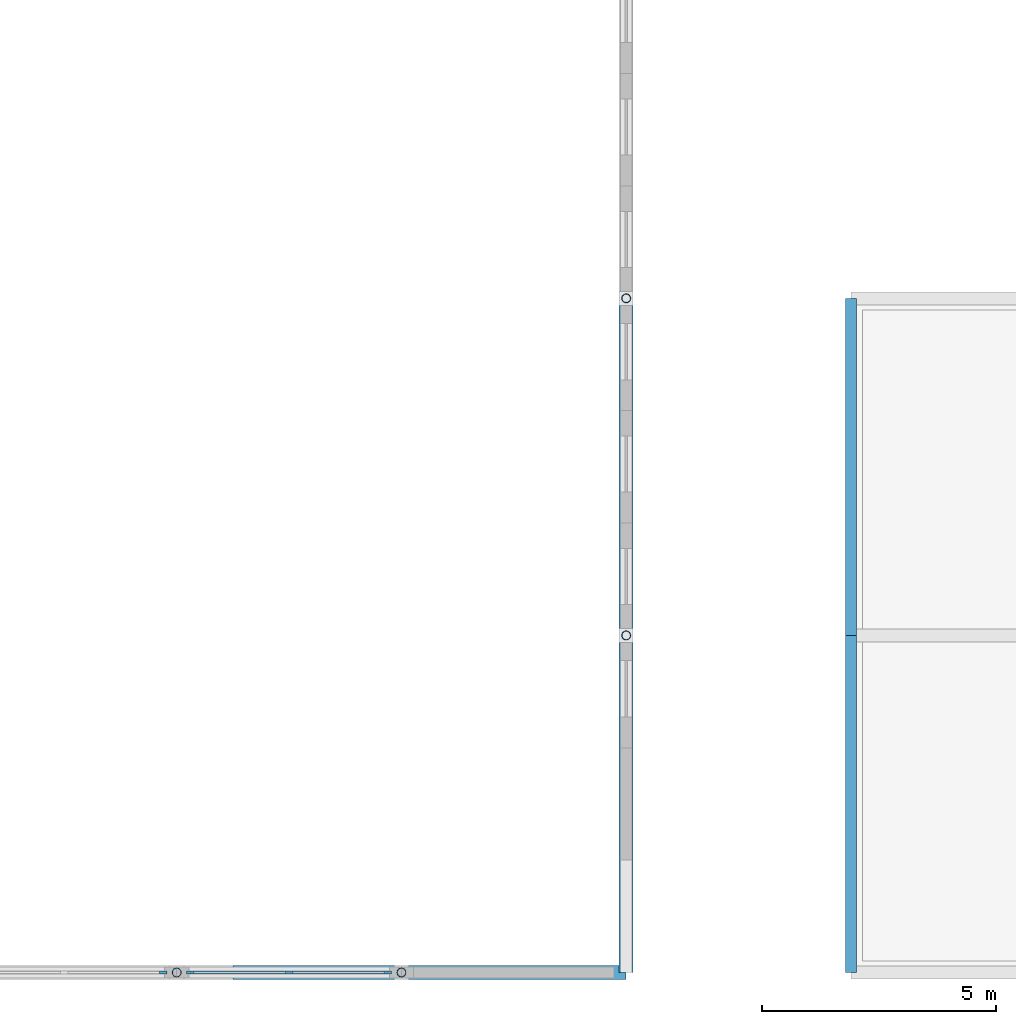
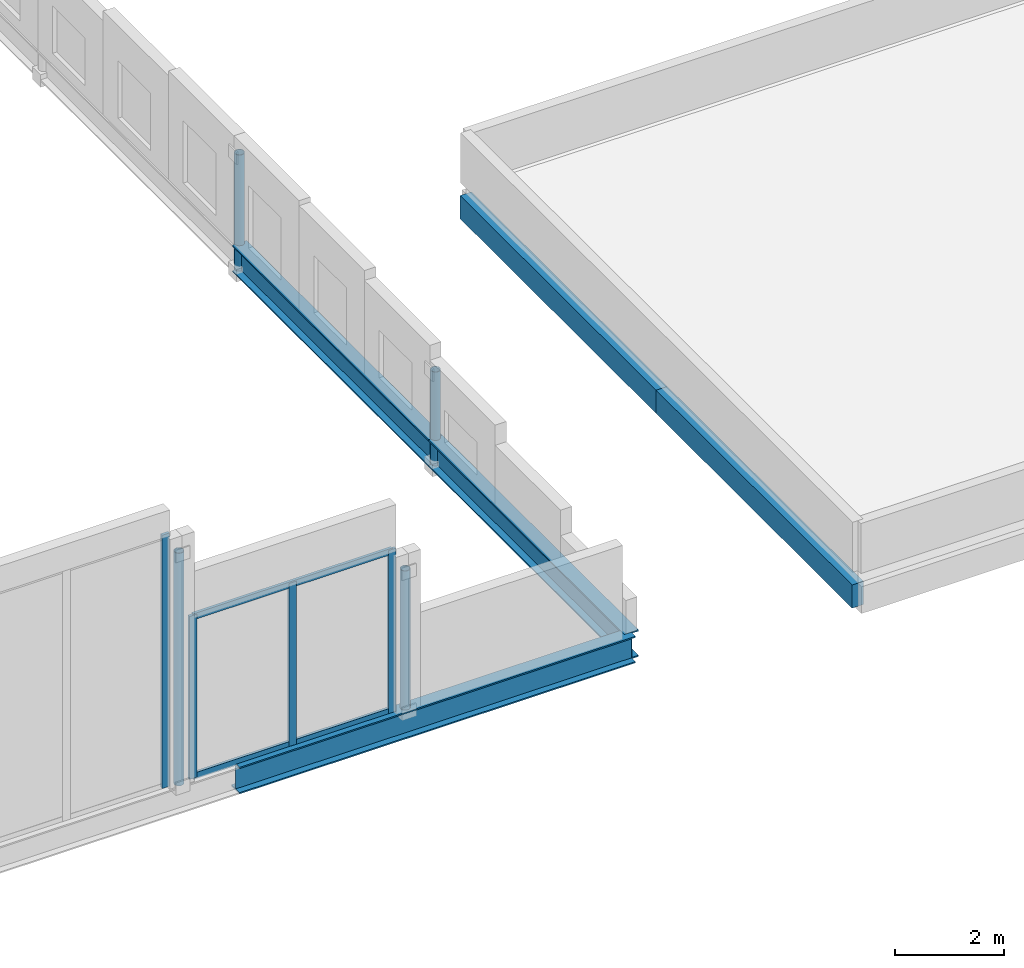
# One storey, part 6 of 34: 10 members, 5 beams, 2 elements without a shape of their own.
"""IFC4 building model written with IfcOpenShell, lengths in metres."""

from ifc_helpers import new_model, si_unit, direction, frame, origin, origin_2d, place, context, subcontext, project, spatial, rectangle, hollow_circle, i_section, extrude, material, material_profile, profile_set, type_object, element, aggregate, save


model = new_model("IFC4")

# Units and contexts
model_context = context("Model", 3, precision=1e-05, world=origin(), true_north=direction((0.0, 1.0)))
body_context = subcontext(model_context, "Body", "Model", "MODEL_VIEW")
ifc_project = project(units=[si_unit("LENGTHUNIT", "METRE"), si_unit("AREAUNIT", "SQUARE_METRE"), si_unit("VOLUMEUNIT", "CUBIC_METRE"), si_unit("PLANEANGLEUNIT", "RADIAN"), si_unit("MASSUNIT", "GRAM", prefix="KILO")], contexts=[model_context])

# Site, building, storey
site_placement = place(None, origin())
site = spatial("IfcSite", under=ifc_project, at=site_placement, CompositionType="ELEMENT")
building_placement = place(site_placement, origin())
building = spatial("IfcBuilding", under=site, at=building_placement, Name="Kahlenmark Community Centre", CompositionType="ELEMENT")
storey_placement = place(building_placement, frame((0.0, 0.0, 17.699951171875)))
storey = spatial("IfcBuildingStorey", under=building, at=storey_placement, Name="L04", CompositionType="ELEMENT", Elevation=17.699951171875)

# Beams
ifc_material_1 = material(Name="Glulam GL32h", Category="wood")
ifc_material_profile_1 = material_profile(ifc_material_1, rectangle(XDim=0.239990234375, YDim=0.52001953125, at=origin_2d()), Name="GL32h 240x520")
ifc_profile_set_1 = profile_set([ifc_material_profile_1], Name="Glulam GL32h")
beam_type_1 = type_object("IfcBeamType", Name="BT-BEAM-GL32h240x520", PredefinedType="BEAM", material=ifc_profile_set_1)
for number, where, z_axis, x_axis, name in (
    (1, (50.800048828125, 8.800048828125, -0.5400390625), (0.0, 1.0, 0.0), (-1.0, 0.0, 0.0), "L04 beam BG-RF520"),
    (2, (50.800048828125, 16.0, -0.5400390625), (0.0, 1.0, 0.0), (-1.0, 0.0, 0.0), "L04 beam BG-RF520"),
):
    element("IfcBeam", number, at=place(storey_placement, frame(where, z_axis=z_axis, x_axis=x_axis)), inside=storey, type_object=beam_type_1, Name=name, PredefinedType="BEAM", context=body_context, shape_type="SweptSolid", body=[
        extrude(rectangle(XDim=0.239990234375, YDim=0.52001953125, at=origin_2d()), origin(), (0.0, 0.0, 1.0), 7.199951171875),
    ])
ifc_material_2 = material(Name="Steel S355", Category="steel")
ifc_material_profile_2 = material_profile(ifc_material_2, i_section(OverallWidth=0.300048828125, OverallDepth=0.60009765625, WebThickness=0.015380859375, FlangeThickness=0.030029296875, at=origin_2d()), Name="HEB 600")
ifc_profile_set_2 = profile_set([ifc_material_profile_2], Name="Steel S355")
beam_type_2 = type_object("IfcBeamType", Name="BT-SPANDREL-HEB600", PredefinedType="SPANDREL", material=ifc_profile_set_2)
beam_placement = place(storey_placement, frame((37.60009765625, 8.800048828125, 0.0), z_axis=(1.0, 0.0, 0.0), x_axis=(0.0, 1.0, 0.0)))
element("IfcBeam", 3, at=beam_placement, inside=storey, type_object=beam_type_2, Name="L04 spandrel RB-1", PredefinedType="SPANDREL", context=body_context, shape_type="SweptSolid", body=[
    extrude(i_section(OverallWidth=0.300048828125, OverallDepth=0.60009765625, WebThickness=0.015380859375, FlangeThickness=0.030029296875, at=origin_2d()), origin(), (0.0, 0.0, 1.0), 8.39990234375),
])
for number, where, z_axis, x_axis, name in (
    (4, (46.0, 8.800048828125, 0.0), (0.0, 1.0, 0.0), (-1.0, 0.0, 0.0), "L04 spandrel RB-1"),
    (5, (46.0, 16.0, 0.0), (0.0, 1.0, 0.0), (-1.0, 0.0, 0.0), "L04 spandrel RB-1"),
):
    element("IfcBeam", number, at=place(storey_placement, frame(where, z_axis=z_axis, x_axis=x_axis)), inside=storey, type_object=beam_type_2, Name=name, PredefinedType="SPANDREL", context=body_context, shape_type="SweptSolid", body=[
        extrude(i_section(OverallWidth=0.300048828125, OverallDepth=0.60009765625, WebThickness=0.015380859375, FlangeThickness=0.030029296875, at=origin_2d()), origin(), (0.0, 0.0, 1.0), 7.199951171875),
    ])

# Curtain wall, member
ifc_material_3 = material(Name="Anodised aluminium unitised curtain wall", Category="aluminium")
curtain_wall_type_1 = type_object("IfcCurtainWallType", Name="CWT-UNIT-428X568", PredefinedType="USERDEFINED", material=ifc_material_3)
curtain_wall_1_placement = place(storey_placement, origin())
curtain_wall_1 = element("IfcCurtainWall", 6, at=curtain_wall_1_placement, inside=storey, type_object=curtain_wall_type_1, Name="Unitised curtain wall CW-194", ObjectType="UNITISED CURTAIN WALL", PredefinedType="USERDEFINED")
ifc_material_4 = material(Name="Anodised aluminium 6063-T6", Category="aluminium")
ifc_material_profile_3 = material_profile(ifc_material_4, rectangle(XDim=0.06005859375, YDim=0.159912109375, at=origin_2d()), Name="ALU MULLION 60x160")
ifc_profile_set_3 = profile_set([ifc_material_profile_3], Name="Anodised aluminium 6063-T6")
member_type_1 = type_object("IfcMemberType", Name="MT-MUL-160", PredefinedType="MULLION", material=ifc_profile_set_3)
member_1_placement = place(storey_placement, frame((36.110107421875, 8.800048828125, 0.300048828125), z_axis=(0.0, 0.0, 1.0), x_axis=(0.0, 1.0, 0.0)))
member_1 = element("IfcMember", 7, at=member_1_placement, type_object=member_type_1, Name="CW-194 mullion 3", PredefinedType="MULLION", context=body_context, shape_type="SweptSolid", body=[
    extrude(rectangle(XDim=0.06005859375, YDim=0.159912109375, at=origin_2d()), origin(), (0.0, 0.0, 1.0), 5.6796875),
])
aggregate(curtain_wall_1, [member_1])

# Curtain wall, members
curtain_wall_type_2 = type_object("IfcCurtainWallType", Name="CWT-UNIT-428X366", PredefinedType="USERDEFINED", material=ifc_material_3)
curtain_wall_2_placement = place(storey_placement, origin())
curtain_wall_2 = element("IfcCurtainWall", 8, at=curtain_wall_2_placement, inside=storey, type_object=curtain_wall_type_2, Name="Unitised curtain wall CW-195", ObjectType="UNITISED CURTAIN WALL", PredefinedType="USERDEFINED")
member_2_placement = place(storey_placement, frame((36.68994140625, 8.800048828125, 0.300048828125), z_axis=(0.0, 0.0, 1.0), x_axis=(0.0, 1.0, 0.0)))
member_2 = element("IfcMember", 9, at=member_2_placement, type_object=member_type_1, Name="CW-195 mullion 1", PredefinedType="MULLION", context=body_context, shape_type="SweptSolid", body=[
    extrude(rectangle(XDim=0.06005859375, YDim=0.159912109375, at=origin_2d()), origin(), (0.0, 0.0, 1.0), 3.6572265625),
])
member_3_placement = place(storey_placement, frame((38.800048828125, 8.800048828125, 0.300048828125), z_axis=(0.0, 0.0, 1.0), x_axis=(0.0, 1.0, 0.0)))
member_3 = element("IfcMember", 10, at=member_3_placement, type_object=member_type_1, Name="CW-195 mullion 2", PredefinedType="MULLION", context=body_context, shape_type="SweptSolid", body=[
    extrude(rectangle(XDim=0.06005859375, YDim=0.159912109375, at=origin_2d()), origin(), (0.0, 0.0, 1.0), 3.6572265625),
])
member_4_placement = place(storey_placement, frame((40.909912109375, 8.800048828125, 0.300048828125), z_axis=(0.0, 0.0, 1.0), x_axis=(0.0, 1.0, 0.0)))
member_4 = element("IfcMember", 11, at=member_4_placement, type_object=member_type_1, Name="CW-195 mullion 3", PredefinedType="MULLION", context=body_context, shape_type="SweptSolid", body=[
    extrude(rectangle(XDim=0.06005859375, YDim=0.159912109375, at=origin_2d()), origin(), (0.0, 0.0, 1.0), 3.6572265625),
])

# Members
ifc_material_profile_4 = material_profile(ifc_material_2, hollow_circle(Radius=0.096923828125, WallThickness=0.008056640625, at=origin_2d()), Name="CHS 193.7x8")
ifc_profile_set_4 = profile_set([ifc_material_profile_4], Name="Steel S355")
member_type_2 = type_object("IfcMemberType", Name="MT-STRUT-CHS193.7x8", PredefinedType="STRUT", material=ifc_profile_set_4)
member_5_placement = place(storey_placement, frame((36.39990234375, 8.800048828125, 0.280029296875), z_axis=(0.0, 0.0, 1.0), x_axis=(1.0, 0.0, 0.0)))
element("IfcMember", 12, at=member_5_placement, inside=storey, type_object=member_type_2, Name="L04 strut GS-POST", PredefinedType="STRUT", context=body_context, shape_type="SweptSolid", body=[
    extrude(hollow_circle(Radius=0.096923828125, WallThickness=0.008056640625, at=origin_2d()), origin(), (0.0, 0.0, 1.0), 5.216552734375),
])
member_6_placement = place(storey_placement, frame((41.199951171875, 8.800048828125, 0.280029296875), z_axis=(0.0, 0.0, 1.0), x_axis=(1.0, 0.0, 0.0)))
element("IfcMember", 13, at=member_6_placement, inside=storey, type_object=member_type_2, Name="L04 strut GS-POST", PredefinedType="STRUT", context=body_context, shape_type="SweptSolid", body=[
    extrude(hollow_circle(Radius=0.096923828125, WallThickness=0.008056640625, at=origin_2d()), origin(), (0.0, 0.0, 1.0), 3.137939453125),
])
member_7_placement = place(storey_placement, frame((46.0, 16.0, -0.300048828125), z_axis=(0.0, 0.0, 1.0), x_axis=(1.0, 0.0, 0.0)))
element("IfcMember", 14, at=member_7_placement, inside=storey, type_object=member_type_2, Name="L04 strut GS-POST", PredefinedType="STRUT", context=body_context, shape_type="SweptSolid", body=[
    extrude(hollow_circle(Radius=0.096923828125, WallThickness=0.008056640625, at=origin_2d()), origin(), (0.0, 0.0, 1.0), 2.1328125),
])
member_8_placement = place(storey_placement, frame((46.0, 23.199951171875, -0.300048828125), z_axis=(0.0, 0.0, 1.0), x_axis=(1.0, 0.0, 0.0)))
element("IfcMember", 15, at=member_8_placement, inside=storey, type_object=member_type_2, Name="L04 strut GS-POST", PredefinedType="STRUT", context=body_context, shape_type="SweptSolid", body=[
    extrude(hollow_circle(Radius=0.096923828125, WallThickness=0.008056640625, at=origin_2d()), origin(), (0.0, 0.0, 1.0), 2.6337890625),
])

# Member
ifc_material_profile_5 = material_profile(ifc_material_4, rectangle(XDim=0.06005859375, YDim=0.139892578125, at=origin_2d()), Name="ALU TRANSOM 60x140")
ifc_profile_set_5 = profile_set([ifc_material_profile_5], Name="Anodised aluminium 6063-T6")
member_type_3 = type_object("IfcMemberType", Name="MT-TRN-140", PredefinedType="USERDEFINED", material=ifc_profile_set_5)
member_9_placement = place(storey_placement, frame((36.68994140625, 8.800048828125, 0.340087890625), z_axis=(1.0, 0.0, 0.0), x_axis=(0.0, 1.0, 0.0)))
member_9 = element("IfcMember", 16, at=member_9_placement, type_object=member_type_3, Name="CW-195 transom 1", ObjectType="TRANSOM", PredefinedType="USERDEFINED", context=body_context, shape_type="SweptSolid", body=[
    extrude(rectangle(XDim=0.06005859375, YDim=0.139892578125, at=origin_2d()), origin(), (0.0, 0.0, 1.0), 4.219970703125),
])

member_10_placement = place(storey_placement, frame((36.68994140625, 8.800048828125, 3.917236328125), z_axis=(1.0, 0.0, 0.0), x_axis=(0.0, 1.0, 0.0)))
member_10 = element("IfcMember", 17, at=member_10_placement, type_object=member_type_3, Name="CW-195 transom 2", ObjectType="TRANSOM", PredefinedType="USERDEFINED", context=body_context, shape_type="SweptSolid", body=[
    extrude(rectangle(XDim=0.06005859375, YDim=0.139892578125, at=origin_2d()), origin(), (0.0, 0.0, 1.0), 4.219970703125),
])

aggregate(curtain_wall_2, [member_2, member_3, member_4, member_9, member_10])

save(model, "model.ifc")
